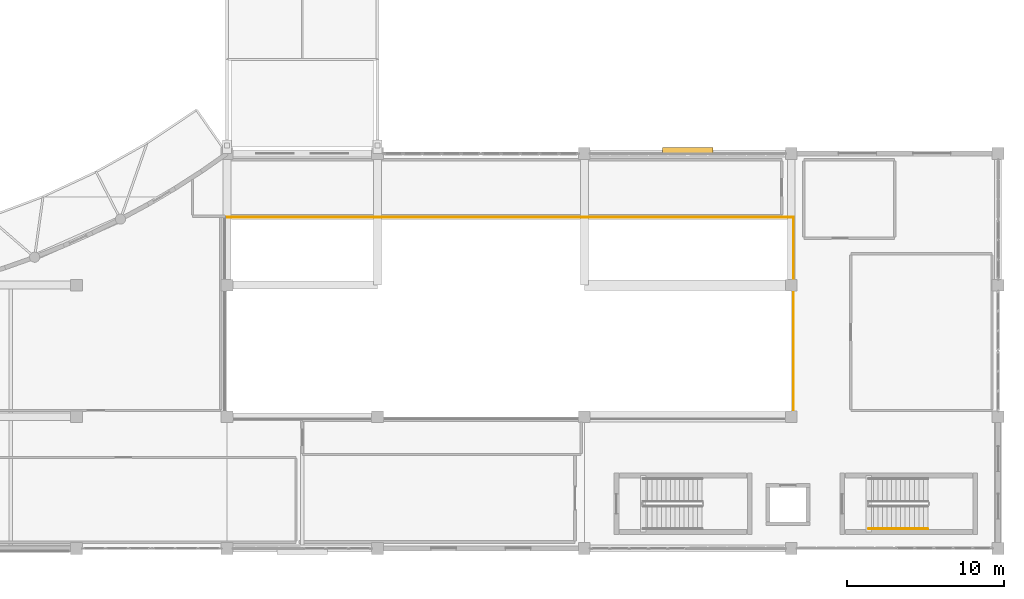
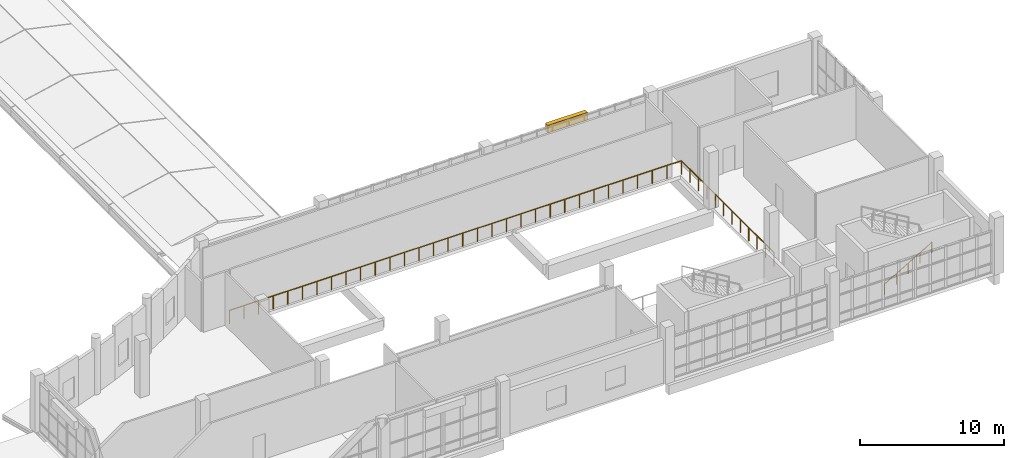
# One storey, part 103 of 106: 3 railings, 1 shading device.
"""IFC4 building model written with IfcOpenShell, lengths in metres."""

from ifc_helpers import new_model, si_unit, direction, frame, origin, origin_2d, place, context, subcontext, project, spatial, rectangle, circle, extrude, material, layer, layer_set, type_object, element, save


model = new_model("IFC4")

# Units and contexts
model_context = context("Model", 3, precision=1e-05, world=origin(), true_north=direction((0.0, 1.0)))
body_context = subcontext(model_context, "Body", "Model", "MODEL_VIEW")
ifc_project = project(units=[si_unit("LENGTHUNIT", "METRE"), si_unit("AREAUNIT", "SQUARE_METRE"), si_unit("VOLUMEUNIT", "CUBIC_METRE"), si_unit("PLANEANGLEUNIT", "RADIAN"), si_unit("MASSUNIT", "GRAM", prefix="KILO")], contexts=[model_context])

# Site, building, storey
site_placement = place(None, origin())
site = spatial("IfcSite", under=ifc_project, at=site_placement, CompositionType="ELEMENT")
building_placement = place(site_placement, origin())
building = spatial("IfcBuilding", under=site, at=building_placement, Name="Kisaragi Civic Commons", CompositionType="ELEMENT")
storey_placement = place(building_placement, frame((0.0, 0.0, 4.800048828125)))
storey = spatial("IfcBuildingStorey", under=building, at=storey_placement, Name="L01", CompositionType="ELEMENT", Elevation=4.800048828125)

# Railings
ifc_material_1 = material(Name="Powder-coated architectural steel and hinoki cap rail", Category="steel")
railing_type_1 = type_object("IfcRailingType", Name="GRD-I1", PredefinedType="GUARDRAIL", material=ifc_material_1)
railing_1_placement = place(storey_placement, frame((159.739990234375, 8.2900390625, 0.0)))
element("IfcRailing", 1, at=railing_1_placement, inside=storey, type_object=railing_type_1, Name="V3 L01 gallery void guardrail 10", PredefinedType="GUARDRAIL", context=body_context, shape_type="SweptSolid", body=[
    extrude(circle(Radius=0.02392578125, at=origin_2d()), frame((0.0, 0.0, 1.1259765625), z_axis=(0.0, 1.0, 0.0), x_axis=(-1.0, 0.0, 0.0)), (0.0, 0.0, 1.0), 12.820068359375),
    extrude(circle(Radius=0.02099609375, at=origin_2d()), origin(), (0.0, 0.0, 1.0), 1.101806640625),
    extrude(circle(Radius=0.02099609375, at=origin_2d()), frame((0.0, 1.16552734375, 0.0)), (0.0, 0.0, 1.0), 1.101806640625),
    extrude(circle(Radius=0.02099609375, at=origin_2d()), frame((0.0, 2.330810546875, 0.0)), (0.0, 0.0, 1.0), 1.101806640625),
    extrude(circle(Radius=0.02099609375, at=origin_2d()), frame((0.0, 3.496337890625, 0.0)), (0.0, 0.0, 1.0), 1.101806640625),
    extrude(circle(Radius=0.02099609375, at=origin_2d()), frame((0.0, 4.661865234375, 0.0)), (0.0, 0.0, 1.0), 1.101806640625),
    extrude(circle(Radius=0.02099609375, at=origin_2d()), frame((0.0, 5.827392578125, 0.0)), (0.0, 0.0, 1.0), 1.101806640625),
    extrude(circle(Radius=0.02099609375, at=origin_2d()), frame((0.0, 6.99267578125, 0.0)), (0.0, 0.0, 1.0), 1.101806640625),
    extrude(circle(Radius=0.02099609375, at=origin_2d()), frame((0.0, 8.158203125, 0.0)), (0.0, 0.0, 1.0), 1.101806640625),
    extrude(circle(Radius=0.02099609375, at=origin_2d()), frame((0.0, 9.32373046875, 0.0)), (0.0, 0.0, 1.0), 1.101806640625),
    extrude(circle(Radius=0.02099609375, at=origin_2d()), frame((0.0, 10.4892578125, 0.0)), (0.0, 0.0, 1.0), 1.101806640625),
    extrude(circle(Radius=0.02099609375, at=origin_2d()), frame((0.0, 11.654541015625, 0.0)), (0.0, 0.0, 1.0), 1.101806640625),
    extrude(circle(Radius=0.02099609375, at=origin_2d()), frame((0.0, 12.820068359375, 0.0)), (0.0, 0.0, 1.0), 1.101806640625),
])
railing_2_placement = place(storey_placement, frame((159.739990234375, 21.139892578125, 0.0)))
element("IfcRailing", 2, at=railing_2_placement, inside=storey, type_object=railing_type_1, Name="V3 L01 gallery void guardrail 11", PredefinedType="GUARDRAIL", context=body_context, shape_type="SweptSolid", body=[
    extrude(circle(Radius=0.02392578125, at=origin_2d()), frame((0.0, 0.0, 1.1259765625), z_axis=(-1.0, 0.0, 0.0), x_axis=(0.0, -1.0, 0.0)), (0.0, 0.0, 1.0), 36.224853515625),
    extrude(circle(Radius=0.02099609375, at=origin_2d()), origin(), (0.0, 0.0, 1.0), 1.101806640625),
    extrude(circle(Radius=0.02099609375, at=origin_2d()), frame((-1.16845703125, 0.0, 0.0)), (0.0, 0.0, 1.0), 1.101806640625),
    extrude(circle(Radius=0.02099609375, at=origin_2d()), frame((-2.337158203125, 0.0, 0.0)), (0.0, 0.0, 1.0), 1.101806640625),
    extrude(circle(Radius=0.02099609375, at=origin_2d()), frame((-3.505615234375, 0.0, 0.0)), (0.0, 0.0, 1.0), 1.101806640625),
    extrude(circle(Radius=0.02099609375, at=origin_2d()), frame((-4.674072265625, 0.0, 0.0)), (0.0, 0.0, 1.0), 1.101806640625),
    extrude(circle(Radius=0.02099609375, at=origin_2d()), frame((-5.8427734375, 0.0, 0.0)), (0.0, 0.0, 1.0), 1.101806640625),
    extrude(circle(Radius=0.02099609375, at=origin_2d()), frame((-7.01123046875, 0.0, 0.0)), (0.0, 0.0, 1.0), 1.101806640625),
    extrude(circle(Radius=0.02099609375, at=origin_2d()), frame((-8.1796875, 0.0, 0.0)), (0.0, 0.0, 1.0), 1.101806640625),
    extrude(circle(Radius=0.02099609375, at=origin_2d()), frame((-9.348388671875, 0.0, 0.0)), (0.0, 0.0, 1.0), 1.101806640625),
    extrude(circle(Radius=0.02099609375, at=origin_2d()), frame((-10.516845703125, 0.0, 0.0)), (0.0, 0.0, 1.0), 1.101806640625),
    extrude(circle(Radius=0.02099609375, at=origin_2d()), frame((-11.685546875, 0.0, 0.0)), (0.0, 0.0, 1.0), 1.101806640625),
    extrude(circle(Radius=0.02099609375, at=origin_2d()), frame((-12.85400390625, 0.0, 0.0)), (0.0, 0.0, 1.0), 1.101806640625),
    extrude(circle(Radius=0.02099609375, at=origin_2d()), frame((-14.0224609375, 0.0, 0.0)), (0.0, 0.0, 1.0), 1.101806640625),
    extrude(circle(Radius=0.02099609375, at=origin_2d()), frame((-15.191162109375, 0.0, 0.0)), (0.0, 0.0, 1.0), 1.101806640625),
    extrude(circle(Radius=0.02099609375, at=origin_2d()), frame((-16.359619140625, 0.0, 0.0)), (0.0, 0.0, 1.0), 1.101806640625),
    extrude(circle(Radius=0.02099609375, at=origin_2d()), frame((-17.528076171875, 0.0, 0.0)), (0.0, 0.0, 1.0), 1.101806640625),
    extrude(circle(Radius=0.02099609375, at=origin_2d()), frame((-18.69677734375, 0.0, 0.0)), (0.0, 0.0, 1.0), 1.101806640625),
    extrude(circle(Radius=0.02099609375, at=origin_2d()), frame((-19.865234375, 0.0, 0.0)), (0.0, 0.0, 1.0), 1.101806640625),
    extrude(circle(Radius=0.02099609375, at=origin_2d()), frame((-21.03369140625, 0.0, 0.0)), (0.0, 0.0, 1.0), 1.101806640625),
    extrude(circle(Radius=0.02099609375, at=origin_2d()), frame((-22.202392578125, 0.0, 0.0)), (0.0, 0.0, 1.0), 1.101806640625),
    extrude(circle(Radius=0.02099609375, at=origin_2d()), frame((-23.370849609375, 0.0, 0.0)), (0.0, 0.0, 1.0), 1.101806640625),
    extrude(circle(Radius=0.02099609375, at=origin_2d()), frame((-24.539306640625, 0.0, 0.0)), (0.0, 0.0, 1.0), 1.101806640625),
    extrude(circle(Radius=0.02099609375, at=origin_2d()), frame((-25.7080078125, 0.0, 0.0)), (0.0, 0.0, 1.0), 1.101806640625),
    extrude(circle(Radius=0.02099609375, at=origin_2d()), frame((-26.87646484375, 0.0, 0.0)), (0.0, 0.0, 1.0), 1.101806640625),
    extrude(circle(Radius=0.02099609375, at=origin_2d()), frame((-28.045166015625, 0.0, 0.0)), (0.0, 0.0, 1.0), 1.101806640625),
    extrude(circle(Radius=0.02099609375, at=origin_2d()), frame((-29.213623046875, 0.0, 0.0)), (0.0, 0.0, 1.0), 1.101806640625),
    extrude(circle(Radius=0.02099609375, at=origin_2d()), frame((-30.382080078125, 0.0, 0.0)), (0.0, 0.0, 1.0), 1.101806640625),
    extrude(circle(Radius=0.02099609375, at=origin_2d()), frame((-31.55078125, 0.0, 0.0)), (0.0, 0.0, 1.0), 1.101806640625),
    extrude(circle(Radius=0.02099609375, at=origin_2d()), frame((-32.71923828125, 0.0, 0.0)), (0.0, 0.0, 1.0), 1.101806640625),
    extrude(circle(Radius=0.02099609375, at=origin_2d()), frame((-33.8876953125, 0.0, 0.0)), (0.0, 0.0, 1.0), 1.101806640625),
    extrude(circle(Radius=0.02099609375, at=origin_2d()), frame((-35.056396484375, 0.0, 0.0)), (0.0, 0.0, 1.0), 1.101806640625),
    extrude(circle(Radius=0.02099609375, at=origin_2d()), frame((-36.224853515625, 0.0, 0.0)), (0.0, 0.0, 1.0), 1.101806640625),
])
railing_type_2 = type_object("IfcRailingType", Name="HRL-01", PredefinedType="HANDRAIL", material=ifc_material_1)
railing_3_placement = place(storey_placement, frame((164.550048828125, 1.25, 0.17138671875)))
element("IfcRailing", 3, at=railing_3_placement, inside=storey, type_object=railing_type_2, Name="L01 ST-D2 stair handrail 1", PredefinedType="HANDRAIL", context=body_context, shape_type="SweptSolid", body=[
    extrude(circle(Radius=0.02392578125, at=origin_2d()), frame((0.0, 0.0, 0.8759765625), z_axis=(0.860848830602, 0.0, 0.508860777473), x_axis=(0.0, 1.0, 0.0)), (0.0, 0.0, 1.0), 4.37939453125),
    extrude(circle(Radius=0.02099609375, at=origin_2d()), origin(), (0.0, 0.0, 1.0), 0.851806640625),
    extrude(circle(Radius=0.02099609375, at=origin_2d()), frame((0.9423828125, 0.0, 0.55712890625)), (0.0, 0.0, 1.0), 0.851806640625),
    extrude(circle(Radius=0.02099609375, at=origin_2d()), frame((1.885009765625, 0.0, 1.1142578125)), (0.0, 0.0, 1.0), 0.851806640625),
    extrude(circle(Radius=0.02099609375, at=origin_2d()), frame((2.82763671875, 0.0, 1.67138671875)), (0.0, 0.0, 1.0), 0.851806640625),
    extrude(circle(Radius=0.02099609375, at=origin_2d()), frame((3.77001953125, 0.0, 2.228515625)), (0.0, 0.0, 1.0), 0.851806640625),
])

# Shading device
ifc_material_2 = material(Name="Extruded Tokoname terracotta sun-louvre blade", Category="masonry")
ifc_layer = layer(ifc_material_2, 0.64990234375, Name="Extruded Tokoname terracotta sun-louvre blade", Category="masonry")
ifc_layer_set = layer_set([ifc_layer], Name="Extruded Tokoname terracotta sun-louvre blade")
shading_device_type = type_object("IfcShadingDeviceType", Name="SHD-01", PredefinedType="JALOUSIE", material=ifc_layer_set)
shading_device_placement = place(storey_placement, frame((153.0, 25.4150390625, 3.889892578125), z_axis=(0.0, 0.0, 1.0), x_axis=(1.0, 0.0, 0.0)))
element("IfcShadingDevice", 4, at=shading_device_placement, inside=storey, type_object=shading_device_type, Name="V3 L01 terracotta sun-louvre 4", PredefinedType="JALOUSIE", context=body_context, shape_type="SweptSolid", body=[
    extrude(rectangle(XDim=3.199951171875, YDim=0.35009765625, at=origin_2d()), origin(), (0.0, 0.0, 1.0), 0.64990234375),
])

save(model, "model.ifc")
